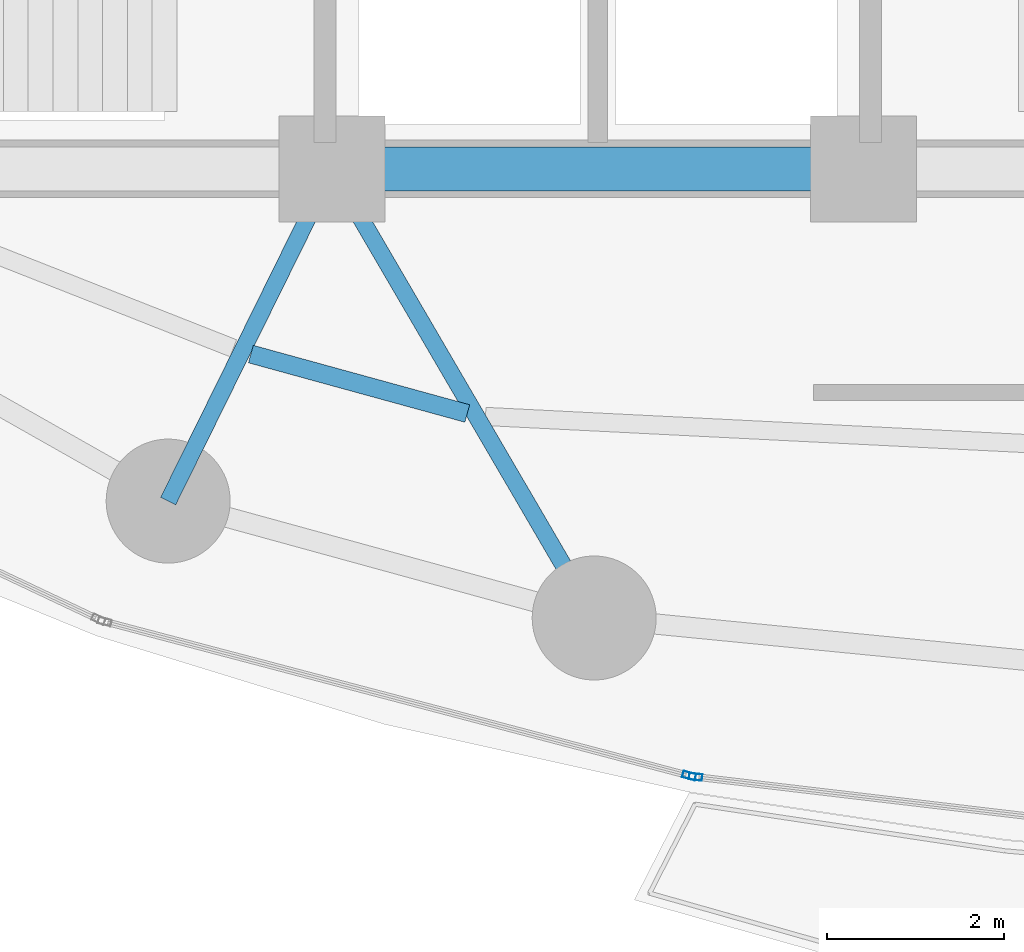
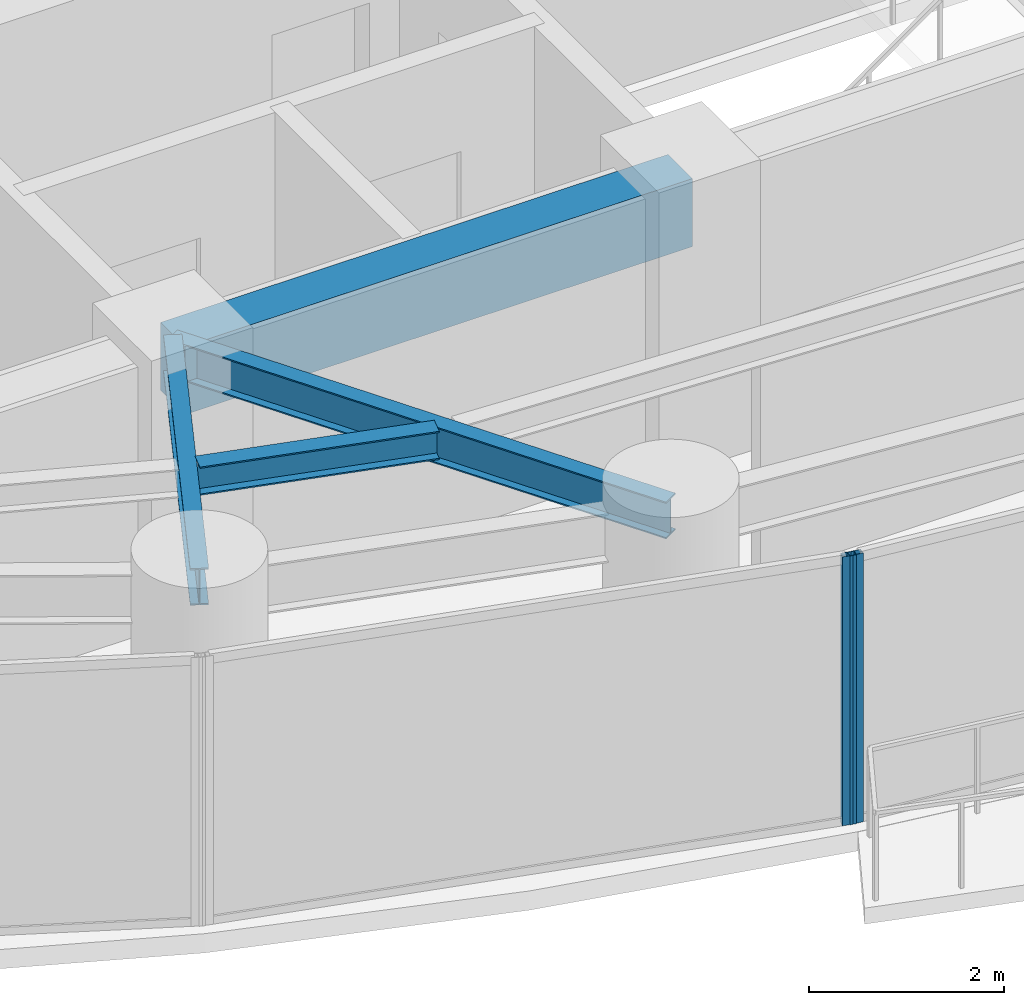
# One storey, part 5 of 31: 4 beams, 2 members, 2 elements without a shape of their own.
"""IFC4 building model written with IfcOpenShell, lengths in metres."""

from ifc_helpers import new_model, si_unit, direction, frame, origin, origin_2d, place, context, subcontext, project, spatial, rectangle, hollow_rectangle, i_section, extrude, material, layer, layer_set, material_profile, profile_set, type_object, element, aggregate, save


model = new_model("IFC4")

# Units and contexts
model_context = context("Model", 3, precision=1e-05, world=origin(), true_north=direction((0.0, 1.0)))
body_context = subcontext(model_context, "Body", "Model", "MODEL_VIEW")
ifc_project = project(units=[si_unit("LENGTHUNIT", "METRE"), si_unit("AREAUNIT", "SQUARE_METRE"), si_unit("VOLUMEUNIT", "CUBIC_METRE"), si_unit("PLANEANGLEUNIT", "RADIAN"), si_unit("MASSUNIT", "GRAM", prefix="KILO")], contexts=[model_context])

# Site, building, storey
site_placement = place(None, origin())
site = spatial("IfcSite", under=ifc_project, at=site_placement, CompositionType="ELEMENT")
building_placement = place(site_placement, origin())
building = spatial("IfcBuilding", under=site, at=building_placement, Name="Kazevale Care Tower and Concert Hall", CompositionType="ELEMENT")
storey_placement = place(building_placement, frame((0.0, 0.0, 81.60009765625)))
storey = spatial("IfcBuildingStorey", under=building, at=storey_placement, Name="L21", CompositionType="ELEMENT", Elevation=81.60009765625)

# Curtain wall, member
ifc_material_1 = material(Name="Aluminium 6063-T6 and Low-E Glass", Category="aluminium")
ifc_layer = layer(ifc_material_1, 0.179931640625)
ifc_layer_set = layer_set([ifc_layer], Name="Aluminium 6063-T6 and Low-E Glass")
curtain_wall_type = type_object("IfcCurtainWallType", Name="Sheltered Concave Balcony Curtain Wall CW-5", PredefinedType="NOTDEFINED", material=ifc_layer_set)
curtain_wall_1_placement = place(storey_placement, origin())
curtain_wall_1 = element("IfcCurtainWall", 1, at=curtain_wall_1_placement, inside=storey, type_object=curtain_wall_type, Name="cw:L21:f07", PredefinedType="NOTDEFINED")
ifc_material_2 = material(Name="Aluminium 6063-T6", Category="aluminium")
ifc_material_profile_1 = material_profile(ifc_material_2, hollow_rectangle(XDim=0.074951171875, YDim=0.14990234375, WallThickness=0.00390625, at=origin_2d()), Name="ALU75x150x4")
ifc_profile_set_1 = profile_set([ifc_material_profile_1], Name="Aluminium 6063-T6")
member_type = type_object("IfcMemberType", Name="CW-5 Mullion ALU75x150x4", PredefinedType="MULLION", material=ifc_profile_set_1)
member_1_placement = place(storey_placement, frame((34.105224609375, 16.736572265625, 0.0), z_axis=(0.0, 0.0, 1.0), x_axis=(-0.117519084253, -0.993070624294, 0.0)))
member_1 = element("IfcMember", 2, at=member_1_placement, type_object=member_type, Name="CW-5 mullion 2", PredefinedType="MULLION", context=body_context, shape_type="SweptSolid", body=[
    extrude(hollow_rectangle(XDim=0.074951171875, YDim=0.14990234375, WallThickness=0.00390625, at=origin_2d()), origin(), (0.0, 0.0, 1.0), 3.35986328125),
])
aggregate(curtain_wall_1, [member_1])

curtain_wall_2_placement = place(storey_placement, origin())
curtain_wall_2 = element("IfcCurtainWall", 3, at=curtain_wall_2_placement, inside=storey, type_object=curtain_wall_type, Name="cw:L21:f08", PredefinedType="NOTDEFINED")
member_2_placement = place(storey_placement, frame((34.03173828125, 16.75048828125, 0.0), z_axis=(0.0, 0.0, 1.0), x_axis=(-0.254828630267, -0.966986230097, 0.0)))
member_2 = element("IfcMember", 4, at=member_2_placement, type_object=member_type, Name="CW-5 mullion 1", PredefinedType="MULLION", context=body_context, shape_type="SweptSolid", body=[
    extrude(hollow_rectangle(XDim=0.074951171875, YDim=0.14990234375, WallThickness=0.00390625, at=origin_2d()), origin(), (0.0, 0.0, 1.0), 3.35986328125),
])
aggregate(curtain_wall_2, [member_2])

# Beams
ifc_material_3 = material(Name="Concrete C60", Category="concrete")
ifc_material_profile_2 = material_profile(ifc_material_3, rectangle(XDim=0.5, YDim=0.85009765625, at=origin_2d()), Name="RC-B500x850")
ifc_profile_set_2 = profile_set([ifc_material_profile_2], Name="Concrete C60")
beam_type_1 = type_object("IfcBeamType", Name="Core Coupling Beam RC500x850", PredefinedType="LINTEL", material=ifc_profile_set_2)
beam_1_placement = place(storey_placement, frame((30.0, 23.60009765625, 2.934814453125), z_axis=(1.0, 0.0, 0.0), x_axis=(0.0, 1.0, 0.0)))
element("IfcBeam", 5, at=beam_1_placement, inside=storey, type_object=beam_type_1, Name="beam:L21:coretie:2", PredefinedType="LINTEL", context=body_context, shape_type="SweptSolid", body=[
    extrude(rectangle(XDim=0.5, YDim=0.85009765625, at=origin_2d()), origin(), (0.0, 0.0, 1.0), 6.0),
])
ifc_material_4 = material(Name="Steel ASTM A572 Gr 50", Category="steel")
ifc_material_profile_3 = material_profile(ifc_material_4, i_section(OverallWidth=0.19091796875, OverallDepth=0.4599609375, WebThickness=0.010009765625, FlangeThickness=0.01611328125, at=origin_2d()), Name="W460x82")
ifc_profile_set_3 = profile_set([ifc_material_profile_3], Name="Steel ASTM A572 Gr 50")
beam_type_2 = type_object("IfcBeamType", Name="Radial Floor Beam W460x82", PredefinedType="BEAM", material=ifc_profile_set_3)
beam_2_placement = place(storey_placement, frame((30.0, 23.60009765625, 3.1298828125), z_axis=(-0.442443019162, -0.896796618412, 0.0), x_axis=(0.896796618412, -0.442443019162, 0.0)))
element("IfcBeam", 6, at=beam_2_placement, inside=storey, type_object=beam_type_2, Name="beam:L21:rad:11", PredefinedType="BEAM", context=body_context, shape_type="SweptSolid", body=[
    extrude(i_section(OverallWidth=0.19091796875, OverallDepth=0.4599609375, WebThickness=0.010009765625, FlangeThickness=0.01611328125, at=origin_2d()), origin(), (0.0, 0.0, 1.0), 4.181640625),
])
beam_3_placement = place(storey_placement, frame((30.0, 23.60009765625, 3.1298828125), z_axis=(0.50417868077, -0.86359936189, 0.0), x_axis=(0.86359936189, 0.50417868077, 0.0)))
element("IfcBeam", 7, at=beam_3_placement, inside=storey, type_object=beam_type_2, Name="beam:L21:rad:12", PredefinedType="BEAM", context=body_context, shape_type="SweptSolid", body=[
    extrude(i_section(OverallWidth=0.19091796875, OverallDepth=0.4599609375, WebThickness=0.010009765625, FlangeThickness=0.01611328125, at=origin_2d()), origin(), (0.0, 0.0, 1.0), 5.870849609375),
])
ifc_material_profile_4 = material_profile(ifc_material_4, i_section(OverallWidth=0.205078125, OverallDepth=0.35400390625, WebThickness=0.009521484375, FlangeThickness=0.016845703125, at=origin_2d()), Name="W360x79")
ifc_profile_set_4 = profile_set([ifc_material_profile_4], Name="Steel ASTM A572 Gr 50")
beam_type_3 = type_object("IfcBeamType", Name="Secondary Floor Joist W360x79", PredefinedType="JOIST", material=ifc_profile_set_4)
beam_4_placement = place(storey_placement, frame((29.083984375, 21.510009765625, 3.182861328125), z_axis=(0.964302027389, -0.264804833743, 0.0), x_axis=(0.264804833743, 0.964302027389, 0.0)))
element("IfcBeam", 8, at=beam_4_placement, inside=storey, type_object=beam_type_3, Name="beam:L21:joist:11", PredefinedType="JOIST", context=body_context, shape_type="SweptSolid", body=[
    extrude(i_section(OverallWidth=0.205078125, OverallDepth=0.35400390625, WebThickness=0.009521484375, FlangeThickness=0.016845703125, at=origin_2d()), origin(), (0.0, 0.0, 1.0), 2.533447265625),
])

save(model, "model.ifc")
